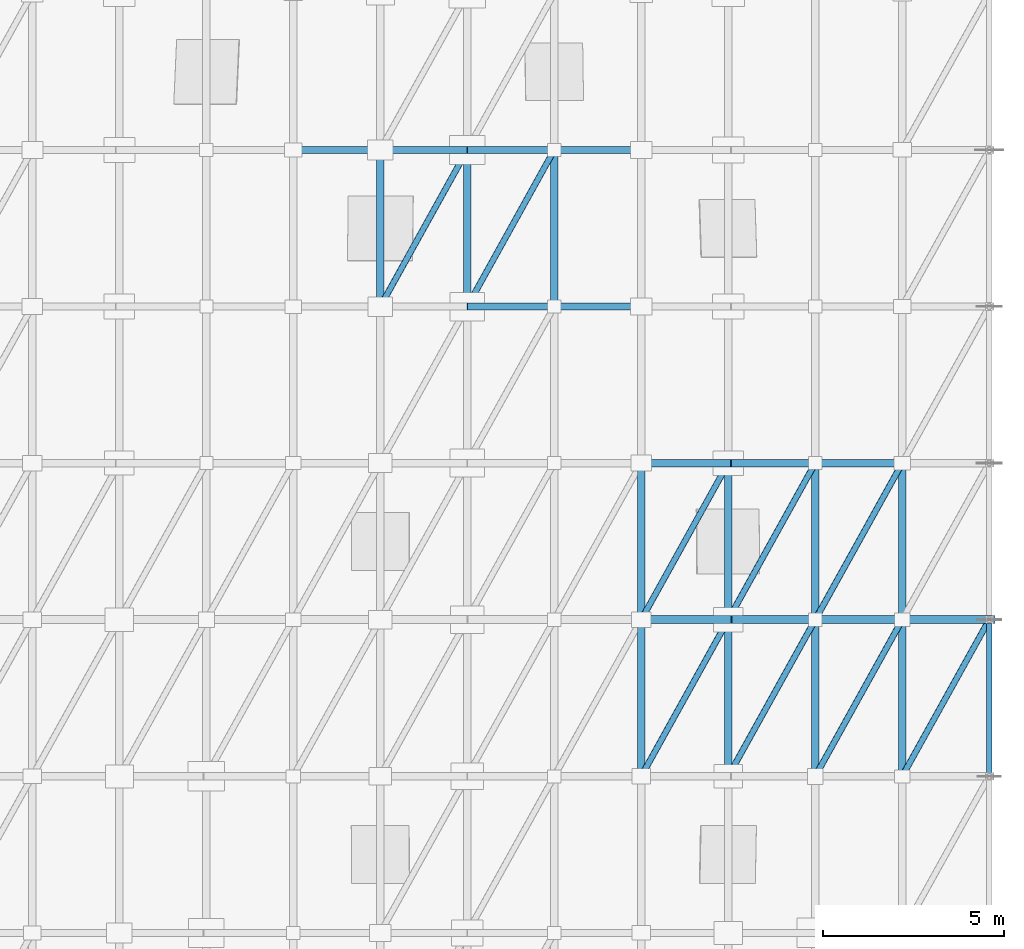
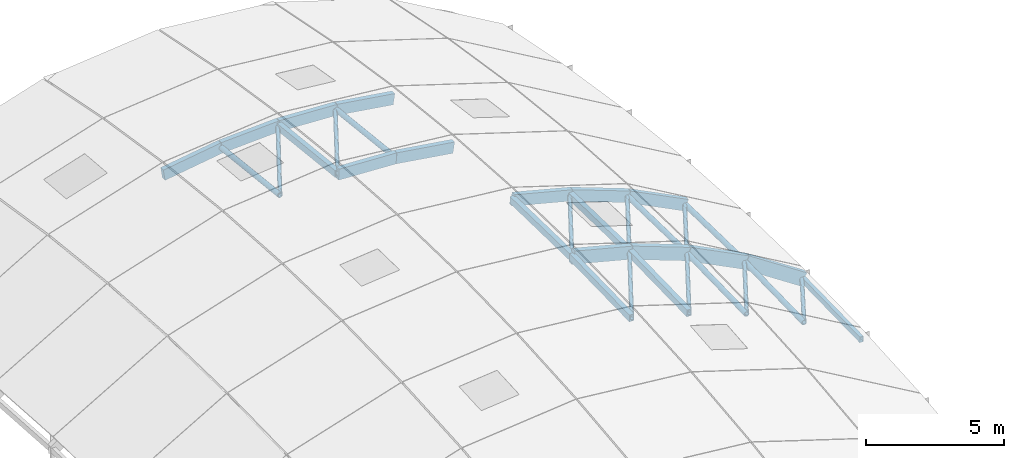
# One storey, part 15 of 35: 34 members.
"""IFC4 building model written with IfcOpenShell, lengths in metres."""

from ifc_helpers import new_model, si_unit, direction, frame, origin, origin_2d, place, context, subcontext, project, spatial, rectangle, hollow_rectangle, hollow_circle, extrude, material, material_profile, profile_set, type_object, element, save


model = new_model("IFC4")

# Units and contexts
model_context = context("Model", 3, precision=1e-05, world=origin(), true_north=direction((0.0, 1.0)))
body_context = subcontext(model_context, "Body", "Model", "MODEL_VIEW")
ifc_project = project(units=[si_unit("LENGTHUNIT", "METRE"), si_unit("AREAUNIT", "SQUARE_METRE"), si_unit("VOLUMEUNIT", "CUBIC_METRE"), si_unit("PLANEANGLEUNIT", "RADIAN"), si_unit("MASSUNIT", "GRAM", prefix="KILO")], contexts=[model_context])

# Site, building, storey
site_placement = place(None, origin())
site = spatial("IfcSite", under=ifc_project, at=site_placement, CompositionType="ELEMENT")
building_placement = place(site_placement, origin())
building = spatial("IfcBuilding", under=site, at=building_placement, Name="Zarrinpeak Specialist Clinic", CompositionType="ELEMENT")
storey_placement = place(building_placement, frame((0.0, 0.0, 31.60009765625)))
storey = spatial("IfcBuildingStorey", under=building, at=storey_placement, Name="RF", CompositionType="ELEMENT", Elevation=31.60009765625)

# Members
ifc_material_1 = material(Name="Steel S355", Category="steel")
ifc_material_profile_1 = material_profile(ifc_material_1, hollow_circle(Radius=0.084228515625, WallThickness=0.008056640625, at=origin_2d()), Name="CHS 168.3x8.0")
ifc_profile_set_1 = profile_set([ifc_material_profile_1], Name="Steel S355")
member_type_1 = type_object("IfcMemberType", Name="MB-BR168", PredefinedType="BRACE", material=ifc_profile_set_1)
member_1_placement = place(storey_placement, frame((105.60009765625, 59.0400390625, -10.904296875), z_axis=(0.484339539557, 0.871860442774, -0.072626295148), x_axis=(-0.874168927292, 0.485621958479, 0.0)))
element("IfcMember", 1, at=member_1_placement, inside=storey, type_object=member_type_1, Name="V3 Gridshell Diagonal Brace GS-DIAG-034", PredefinedType="BRACE", context=body_context, shape_type="SweptSolid", body=[
    extrude(hollow_circle(Radius=0.084228515625, WallThickness=0.008056640625, at=origin_2d()), origin(), (0.0, 0.0, 1.0), 4.955078125),
])
member_2_placement = place(storey_placement, frame((108.0, 59.0400390625, -10.7841796875), z_axis=(0.482080754181, 0.867794399311, -0.120544709438), x_axis=(-0.874168927292, 0.485621958479, 0.0)))
element("IfcMember", 2, at=member_2_placement, inside=storey, type_object=member_type_1, Name="V3 Gridshell Diagonal Brace GS-DIAG-044", PredefinedType="BRACE", context=body_context, shape_type="SweptSolid", body=[
    extrude(hollow_circle(Radius=0.084228515625, WallThickness=0.008056640625, at=origin_2d()), origin(), (0.0, 0.0, 1.0), 4.978271484375),
])
member_3_placement = place(storey_placement, frame((112.800048828125, 46.080078125, -10.98095703125), z_axis=(0.482928778144, 0.869271800659, -0.105576189647), x_axis=(-0.874157276122, 0.485642931179, 0.0)))
element("IfcMember", 3, at=member_3_placement, inside=storey, type_object=member_type_1, Name="V3 Gridshell Diagonal Brace GS-DIAG-052", PredefinedType="BRACE", context=body_context, shape_type="SweptSolid", body=[
    extrude(hollow_circle(Radius=0.084228515625, WallThickness=0.008056640625, at=origin_2d()), origin(), (0.0, 0.0, 1.0), 4.969482421875),
])
member_4_placement = place(storey_placement, frame((112.800048828125, 50.39990234375, -10.885009765625), z_axis=(0.480596317761, 0.865122262745, -0.143494424479), x_axis=(-0.874168927292, 0.485621958479, 0.0)))
element("IfcMember", 4, at=member_4_placement, inside=storey, type_object=member_type_1, Name="V3 Gridshell Diagonal Brace GS-DIAG-053", PredefinedType="BRACE", context=body_context, shape_type="SweptSolid", body=[
    extrude(hollow_circle(Radius=0.084228515625, WallThickness=0.008056640625, at=origin_2d()), origin(), (0.0, 0.0, 1.0), 4.99365234375),
])
member_5_placement = place(storey_placement, frame((115.199951171875, 46.080078125, -11.6015625), z_axis=(0.479404720839, 0.862840721242, -0.160240454956), x_axis=(-0.874136302344, 0.485680682058, 0.0)))
element("IfcMember", 5, at=member_5_placement, inside=storey, type_object=member_type_1, Name="V3 Gridshell Diagonal Brace GS-DIAG-056", PredefinedType="BRACE", context=body_context, shape_type="SweptSolid", body=[
    extrude(hollow_circle(Radius=0.084228515625, WallThickness=0.008056640625, at=origin_2d()), origin(), (0.0, 0.0, 1.0), 5.006591796875),
])
member_6_placement = place(storey_placement, frame((115.199951171875, 50.39990234375, -11.505615234375), z_axis=(0.476121995182, 0.856980846786, -0.197209720718), x_axis=(-0.874147955046, 0.485659708735, 0.0)))
element("IfcMember", 6, at=member_6_placement, inside=storey, type_object=member_type_1, Name="V3 Gridshell Diagonal Brace GS-DIAG-057", PredefinedType="BRACE", context=body_context, shape_type="SweptSolid", body=[
    extrude(hollow_circle(Radius=0.084228515625, WallThickness=0.008056640625, at=origin_2d()), origin(), (0.0, 0.0, 1.0), 5.041015625),
])
member_7_placement = place(storey_placement, frame((117.60009765625, 46.080078125, -12.499755859375), z_axis=(0.473719021857, 0.852694239343, -0.220233563569), x_axis=(-0.874157276122, 0.485642931179, 0.0)))
element("IfcMember", 7, at=member_7_placement, inside=storey, type_object=member_type_1, Name="V3 Gridshell Diagonal Brace GS-DIAG-060", PredefinedType="BRACE", context=body_context, shape_type="SweptSolid", body=[
    extrude(hollow_circle(Radius=0.084228515625, WallThickness=0.008056640625, at=origin_2d()), origin(), (0.0, 0.0, 1.0), 5.066162109375),
])
member_8_placement = place(storey_placement, frame((117.60009765625, 50.39990234375, -12.40380859375), z_axis=(0.469465896552, 0.845086372278, -0.255794439668), x_axis=(-0.874168927292, 0.485621958479, 0.0)))
element("IfcMember", 8, at=member_8_placement, inside=storey, type_object=member_type_1, Name="V3 Gridshell Diagonal Brace GS-DIAG-061", PredefinedType="BRACE", context=body_context, shape_type="SweptSolid", body=[
    extrude(hollow_circle(Radius=0.084228515625, WallThickness=0.008056640625, at=origin_2d()), origin(), (0.0, 0.0, 1.0), 5.112060546875),
])
member_9_placement = place(storey_placement, frame((120.0, 46.080078125, -13.71142578125), z_axis=(0.464999150713, 0.836998471284, -0.28846030733), x_axis=(-0.874157276122, 0.485642931179, 0.0)))
element("IfcMember", 9, at=member_9_placement, inside=storey, type_object=member_type_1, Name="V3 Gridshell Diagonal Brace GS-DIAG-067", PredefinedType="BRACE", context=body_context, shape_type="SweptSolid", body=[
    extrude(hollow_circle(Radius=0.084228515625, WallThickness=0.008056640625, at=origin_2d()), origin(), (0.0, 0.0, 1.0), 5.1611328125),
])
ifc_material_profile_2 = material_profile(ifc_material_1, hollow_circle(Radius=0.109619140625, WallThickness=0.010009765625, at=origin_2d()), Name="CHS 219.1x10.0")
ifc_profile_set_2 = profile_set([ifc_material_profile_2], Name="Steel S355")
member_type_2 = type_object("IfcMemberType", Name="MB-GS-CH219", PredefinedType="USERDEFINED", material=ifc_profile_set_2)
for number, where, z_axis, x_axis, name in (
    (10, (105.60009765625, 59.0400390625, -10.904296875), (0.0, 0.993884419624, -0.110425361344), (-1.0, 0.0, 0.0), "V3 Translational Gridshell Vault Steel Chord I05-J07"),
    (11, (110.39990234375, 59.0400390625, -10.904296875), (0.0, 0.993884419624, -0.110425361344), (-1.0, 0.0, 0.0), "V3 Translational Gridshell Vault Steel Chord I07-J07"),
):
    element("IfcMember", number, at=place(storey_placement, frame(where, z_axis=z_axis, x_axis=x_axis)), inside=storey, type_object=member_type_2, Name=name, ObjectType="ARCH_SEGMENT", PredefinedType="USERDEFINED", context=body_context, shape_type="SweptSolid", body=[
        extrude(hollow_circle(Radius=0.109619140625, WallThickness=0.010009765625, at=origin_2d()), origin(), (0.0, 0.0, 1.0), 4.3466796875),
    ])
member_10_placement = place(storey_placement, frame((117.60009765625, 46.080078125, -12.499755859375), z_axis=(0.0, 0.999753428766, 0.022205442382), x_axis=(-1.0, 0.0, 0.0)))
element("IfcMember", 12, at=member_10_placement, inside=storey, type_object=member_type_2, Name="V3 Translational Gridshell Vault Steel Chord I10-J04", ObjectType="ARCH_SEGMENT", PredefinedType="USERDEFINED", context=body_context, shape_type="SweptSolid", body=[
    extrude(hollow_circle(Radius=0.109619140625, WallThickness=0.010009765625, at=origin_2d()), origin(), (0.0, 0.0, 1.0), 4.32080078125),
])
member_11_placement = place(storey_placement, frame((117.60009765625, 50.39990234375, -12.40380859375), z_axis=(0.0, 0.999753456624, -0.022204188101), x_axis=(-1.0, 0.0, 0.0)))
element("IfcMember", 13, at=member_11_placement, inside=storey, type_object=member_type_2, Name="V3 Translational Gridshell Vault Steel Chord I10-J05", ObjectType="ARCH_SEGMENT", PredefinedType="USERDEFINED", context=body_context, shape_type="SweptSolid", body=[
    extrude(hollow_circle(Radius=0.109619140625, WallThickness=0.010009765625, at=origin_2d()), origin(), (0.0, 0.0, 1.0), 4.321044921875),
])
member_12_placement = place(storey_placement, frame((120.0, 46.080078125, -13.71142578125), z_axis=(0.0, 0.999753428766, 0.022205442382), x_axis=(-1.0, 0.0, 0.0)))
element("IfcMember", 14, at=member_12_placement, inside=storey, type_object=member_type_2, Name="V3 Translational Gridshell Vault Steel Chord I11-J04", ObjectType="ARCH_SEGMENT", PredefinedType="USERDEFINED", context=body_context, shape_type="SweptSolid", body=[
    extrude(hollow_circle(Radius=0.109619140625, WallThickness=0.010009765625, at=origin_2d()), origin(), (0.0, 0.0, 1.0), 4.32080078125),
])
member_13_placement = place(storey_placement, frame((120.0, 50.39990234375, -13.615478515625), z_axis=(0.0, 0.999753456624, -0.022204188101), x_axis=(-1.0, 0.0, 0.0)))
element("IfcMember", 15, at=member_13_placement, inside=storey, type_object=member_type_2, Name="V3 Translational Gridshell Vault Steel Chord I11-J05", ObjectType="ARCH_SEGMENT", PredefinedType="USERDEFINED", context=body_context, shape_type="SweptSolid", body=[
    extrude(hollow_circle(Radius=0.109619140625, WallThickness=0.010009765625, at=origin_2d()), origin(), (0.0, 0.0, 1.0), 4.321044921875),
])
ifc_material_2 = material(Name="Glulam GL28h", Category="wood")
ifc_material_profile_3 = material_profile(ifc_material_2, rectangle(XDim=0.199951171875, YDim=0.47998046875, at=origin_2d()), Name="GL28h 200x480")
ifc_profile_set_3 = profile_set([ifc_material_profile_3], Name="Glulam GL28h")
member_type_3 = type_object("IfcMemberType", Name="MB-GS-GL480", PredefinedType="USERDEFINED", material=ifc_profile_set_3)
member_14_placement = place(storey_placement, frame((112.800048828125, 54.719970703125, -10.98095703125), z_axis=(0.96815267419, 0.0, -0.250360538941), x_axis=(0.0, 1.0, 0.0)))
element("IfcMember", 16, at=member_14_placement, inside=storey, type_object=member_type_3, Name="V3 Translational Gridshell Vault Glulam Arch Rib J06-08", ObjectType="ARCH_SEGMENT", PredefinedType="USERDEFINED", context=body_context, shape_type="SweptSolid", body=[
    extrude(rectangle(XDim=0.199951171875, YDim=0.47998046875, at=origin_2d()), origin(), (0.0, 0.0, 1.0), 2.478759765625),
])
member_15_placement = place(storey_placement, frame((115.199951171875, 54.719970703125, -11.6015625), z_axis=(0.936567780468, 0.0, -0.350486508427), x_axis=(0.0, 1.0, 0.0)))
element("IfcMember", 17, at=member_15_placement, inside=storey, type_object=member_type_3, Name="V3 Translational Gridshell Vault Glulam Arch Rib J06-09", ObjectType="ARCH_SEGMENT", PredefinedType="USERDEFINED", context=body_context, shape_type="SweptSolid", body=[
    extrude(rectangle(XDim=0.199951171875, YDim=0.47998046875, at=origin_2d()), origin(), (0.0, 0.0, 1.0), 2.562744140625),
])
member_16_placement = place(storey_placement, frame((117.60009765625, 54.719970703125, -12.499755859375), z_axis=(0.892676812819, 0.0, -0.450697357276), x_axis=(0.0, 1.0, 0.0)))
element("IfcMember", 18, at=member_16_placement, inside=storey, type_object=member_type_3, Name="V3 Translational Gridshell Vault Glulam Arch Rib J06-10", ObjectType="ARCH_SEGMENT", PredefinedType="USERDEFINED", context=body_context, shape_type="SweptSolid", body=[
    extrude(rectangle(XDim=0.199951171875, YDim=0.47998046875, at=origin_2d()), origin(), (0.0, 0.0, 1.0), 2.6884765625),
])
member_17_placement = place(storey_placement, frame((108.0, 59.0400390625, -10.7841796875), z_axis=(0.998749803871, 0.0, -0.049988291303), x_axis=(0.0, 1.0, 0.0)))
element("IfcMember", 19, at=member_17_placement, inside=storey, type_object=member_type_3, Name="V3 Translational Gridshell Vault Glulam Arch Rib J07-06", ObjectType="ARCH_SEGMENT", PredefinedType="USERDEFINED", context=body_context, shape_type="SweptSolid", body=[
    extrude(rectangle(XDim=0.199951171875, YDim=0.47998046875, at=origin_2d()), origin(), (0.0, 0.0, 1.0), 2.40283203125),
])
for number, where, z_axis, x_axis, name in (
    (20, (110.39990234375, 59.0400390625, -10.904296875), (0.988649056377, 0.0, -0.150243280463), (0.0, 1.0, 0.0), "V3 Translational Gridshell Vault Glulam Arch Rib J07-07"),
    (21, (103.199951171875, 63.360107421875, -11.7490234375), (0.988649056377, 0.0, 0.150243280463), (0.0, 1.0, 0.0), "V3 Translational Gridshell Vault Glulam Arch Rib J08-04"),
):
    element("IfcMember", number, at=place(storey_placement, frame(where, z_axis=z_axis, x_axis=x_axis)), inside=storey, type_object=member_type_3, Name=name, ObjectType="ARCH_SEGMENT", PredefinedType="USERDEFINED", context=body_context, shape_type="SweptSolid", body=[
        extrude(rectangle(XDim=0.199951171875, YDim=0.47998046875, at=origin_2d()), origin(), (0.0, 0.0, 1.0), 2.427734375),
    ])
for number, where, z_axis, x_axis, name in (
    (22, (105.60009765625, 63.360107421875, -11.38427734375), (0.998749803871, 0.0, 0.049988291303), (0.0, 1.0, 0.0), "V3 Translational Gridshell Vault Glulam Arch Rib J08-05"),
    (23, (108.0, 63.360107421875, -11.26416015625), (0.998749803871, 0.0, -0.049988291303), (0.0, 1.0, 0.0), "V3 Translational Gridshell Vault Glulam Arch Rib J08-06"),
):
    element("IfcMember", number, at=place(storey_placement, frame(where, z_axis=z_axis, x_axis=x_axis)), inside=storey, type_object=member_type_3, Name=name, ObjectType="ARCH_SEGMENT", PredefinedType="USERDEFINED", context=body_context, shape_type="SweptSolid", body=[
        extrude(rectangle(XDim=0.199951171875, YDim=0.47998046875, at=origin_2d()), origin(), (0.0, 0.0, 1.0), 2.40283203125),
    ])
member_18_placement = place(storey_placement, frame((110.39990234375, 63.360107421875, -11.38427734375), z_axis=(0.988649056377, 0.0, -0.150243280463), x_axis=(0.0, 1.0, 0.0)))
element("IfcMember", 24, at=member_18_placement, inside=storey, type_object=member_type_3, Name="V3 Translational Gridshell Vault Glulam Arch Rib J08-07", ObjectType="ARCH_SEGMENT", PredefinedType="USERDEFINED", context=body_context, shape_type="SweptSolid", body=[
    extrude(rectangle(XDim=0.199951171875, YDim=0.47998046875, at=origin_2d()), origin(), (0.0, 0.0, 1.0), 2.427734375),
])
ifc_material_profile_4 = material_profile(ifc_material_2, rectangle(XDim=0.219970703125, YDim=0.56005859375, at=origin_2d()), Name="GL28h 220x560")
ifc_profile_set_4 = profile_set([ifc_material_profile_4], Name="Glulam GL28h")
member_type_4 = type_object("IfcMemberType", Name="MB-GS-GL560", PredefinedType="USERDEFINED", material=ifc_profile_set_4)
member_19_placement = place(storey_placement, frame((112.800048828125, 50.39990234375, -10.885009765625), z_axis=(0.96815267419, 0.0, -0.250360538941), x_axis=(0.0, 1.0, 0.0)))
element("IfcMember", 25, at=member_19_placement, inside=storey, type_object=member_type_4, Name="V3 Translational Gridshell Vault Glulam Arch Rib J05-08", ObjectType="ARCH_SEGMENT", PredefinedType="USERDEFINED", context=body_context, shape_type="SweptSolid", body=[
    extrude(rectangle(XDim=0.219970703125, YDim=0.56005859375, at=origin_2d()), origin(), (0.0, 0.0, 1.0), 2.478759765625),
])
member_20_placement = place(storey_placement, frame((115.199951171875, 50.39990234375, -11.505615234375), z_axis=(0.936567780468, 0.0, -0.350486508427), x_axis=(0.0, 1.0, 0.0)))
element("IfcMember", 26, at=member_20_placement, inside=storey, type_object=member_type_4, Name="V3 Translational Gridshell Vault Glulam Arch Rib J05-09", ObjectType="ARCH_SEGMENT", PredefinedType="USERDEFINED", context=body_context, shape_type="SweptSolid", body=[
    extrude(rectangle(XDim=0.219970703125, YDim=0.56005859375, at=origin_2d()), origin(), (0.0, 0.0, 1.0), 2.562744140625),
])
member_21_placement = place(storey_placement, frame((117.60009765625, 50.39990234375, -12.40380859375), z_axis=(0.892676812819, 0.0, -0.450697357276), x_axis=(0.0, 1.0, 0.0)))
element("IfcMember", 27, at=member_21_placement, inside=storey, type_object=member_type_4, Name="V3 Translational Gridshell Vault Glulam Arch Rib J05-10", ObjectType="ARCH_SEGMENT", PredefinedType="USERDEFINED", context=body_context, shape_type="SweptSolid", body=[
    extrude(rectangle(XDim=0.219970703125, YDim=0.56005859375, at=origin_2d()), origin(), (0.0, 0.0, 1.0), 2.6884765625),
])
member_22_placement = place(storey_placement, frame((120.0, 50.39990234375, -13.615478515625), z_axis=(0.834484495814, 0.0, -0.55103142038), x_axis=(0.0, 1.0, 0.0)))
element("IfcMember", 28, at=member_22_placement, inside=storey, type_object=member_type_4, Name="V3 Translational Gridshell Vault Glulam Arch Rib J05-11", ObjectType="ARCH_SEGMENT", PredefinedType="USERDEFINED", context=body_context, shape_type="SweptSolid", body=[
    extrude(rectangle(XDim=0.219970703125, YDim=0.56005859375, at=origin_2d()), origin(), (0.0, 0.0, 1.0), 2.8759765625),
])
ifc_material_profile_5 = material_profile(ifc_material_1, hollow_rectangle(XDim=0.14990234375, YDim=0.25, WallThickness=0.010009765625, at=origin_2d()), Name="RHS 250x150x10.0")
ifc_profile_set_5 = profile_set([ifc_material_profile_5], Name="Steel S355")
member_type_5 = type_object("IfcMemberType", Name="MB-GS-RH250", PredefinedType="USERDEFINED", material=ifc_profile_set_5)
member_23_placement = place(storey_placement, frame((122.39990234375, 46.080078125, -15.296142578125), z_axis=(0.0, 0.999753428766, 0.022205442382), x_axis=(-1.0, 0.0, 0.0)))
element("IfcMember", 29, at=member_23_placement, inside=storey, type_object=member_type_5, Name="V3 Translational Gridshell Vault Steel Chord I12-J04", ObjectType="ARCH_SEGMENT", PredefinedType="USERDEFINED", context=body_context, shape_type="SweptSolid", body=[
    extrude(hollow_rectangle(XDim=0.14990234375, YDim=0.25, WallThickness=0.010009765625, at=origin_2d()), origin(), (0.0, 0.0, 1.0), 4.32080078125),
])
ifc_material_profile_6 = material_profile(ifc_material_1, hollow_rectangle(XDim=0.199951171875, YDim=0.300048828125, WallThickness=0.012451171875, at=origin_2d()), Name="RHS 300x200x12.5")
ifc_profile_set_6 = profile_set([ifc_material_profile_6], Name="Steel S355")
member_type_6 = type_object("IfcMemberType", Name="MB-GS-RH300", PredefinedType="USERDEFINED", material=ifc_profile_set_6)
member_24_placement = place(storey_placement, frame((108.0, 59.0400390625, -10.7841796875), z_axis=(0.0, 0.993884419624, -0.110425361344), x_axis=(-1.0, 0.0, 0.0)))
element("IfcMember", 30, at=member_24_placement, inside=storey, type_object=member_type_6, Name="V3 Translational Gridshell Vault Steel Chord I06-J07", ObjectType="ARCH_SEGMENT", PredefinedType="USERDEFINED", context=body_context, shape_type="SweptSolid", body=[
    extrude(hollow_rectangle(XDim=0.199951171875, YDim=0.300048828125, WallThickness=0.012451171875, at=origin_2d()), origin(), (0.0, 0.0, 1.0), 4.3466796875),
])
member_25_placement = place(storey_placement, frame((112.800048828125, 46.080078125, -10.98095703125), z_axis=(0.0, 0.999753428766, 0.022205442382), x_axis=(-1.0, 0.0, 0.0)))
element("IfcMember", 31, at=member_25_placement, inside=storey, type_object=member_type_6, Name="V3 Translational Gridshell Vault Steel Chord I08-J04", ObjectType="ARCH_SEGMENT", PredefinedType="USERDEFINED", context=body_context, shape_type="SweptSolid", body=[
    extrude(hollow_rectangle(XDim=0.199951171875, YDim=0.300048828125, WallThickness=0.012451171875, at=origin_2d()), origin(), (0.0, 0.0, 1.0), 4.32080078125),
])
member_26_placement = place(storey_placement, frame((112.800048828125, 50.39990234375, -10.885009765625), z_axis=(0.0, 0.999753456624, -0.022204188101), x_axis=(-1.0, 0.0, 0.0)))
element("IfcMember", 32, at=member_26_placement, inside=storey, type_object=member_type_6, Name="V3 Translational Gridshell Vault Steel Chord I08-J05", ObjectType="ARCH_SEGMENT", PredefinedType="USERDEFINED", context=body_context, shape_type="SweptSolid", body=[
    extrude(hollow_rectangle(XDim=0.199951171875, YDim=0.300048828125, WallThickness=0.012451171875, at=origin_2d()), origin(), (0.0, 0.0, 1.0), 4.321044921875),
])
member_27_placement = place(storey_placement, frame((115.199951171875, 46.080078125, -11.6015625), z_axis=(0.0, 0.999753428766, 0.022205442382), x_axis=(-1.0, 0.0, 0.0)))
element("IfcMember", 33, at=member_27_placement, inside=storey, type_object=member_type_6, Name="V3 Translational Gridshell Vault Steel Chord I09-J04", ObjectType="ARCH_SEGMENT", PredefinedType="USERDEFINED", context=body_context, shape_type="SweptSolid", body=[
    extrude(hollow_rectangle(XDim=0.199951171875, YDim=0.300048828125, WallThickness=0.012451171875, at=origin_2d()), origin(), (0.0, 0.0, 1.0), 4.32080078125),
])
member_28_placement = place(storey_placement, frame((115.199951171875, 50.39990234375, -11.505615234375), z_axis=(0.0, 0.999753456624, -0.022204188101), x_axis=(-1.0, 0.0, 0.0)))
element("IfcMember", 34, at=member_28_placement, inside=storey, type_object=member_type_6, Name="V3 Translational Gridshell Vault Steel Chord I09-J05", ObjectType="ARCH_SEGMENT", PredefinedType="USERDEFINED", context=body_context, shape_type="SweptSolid", body=[
    extrude(hollow_rectangle(XDim=0.199951171875, YDim=0.300048828125, WallThickness=0.012451171875, at=origin_2d()), origin(), (0.0, 0.0, 1.0), 4.321044921875),
])

save(model, "model.ifc")
